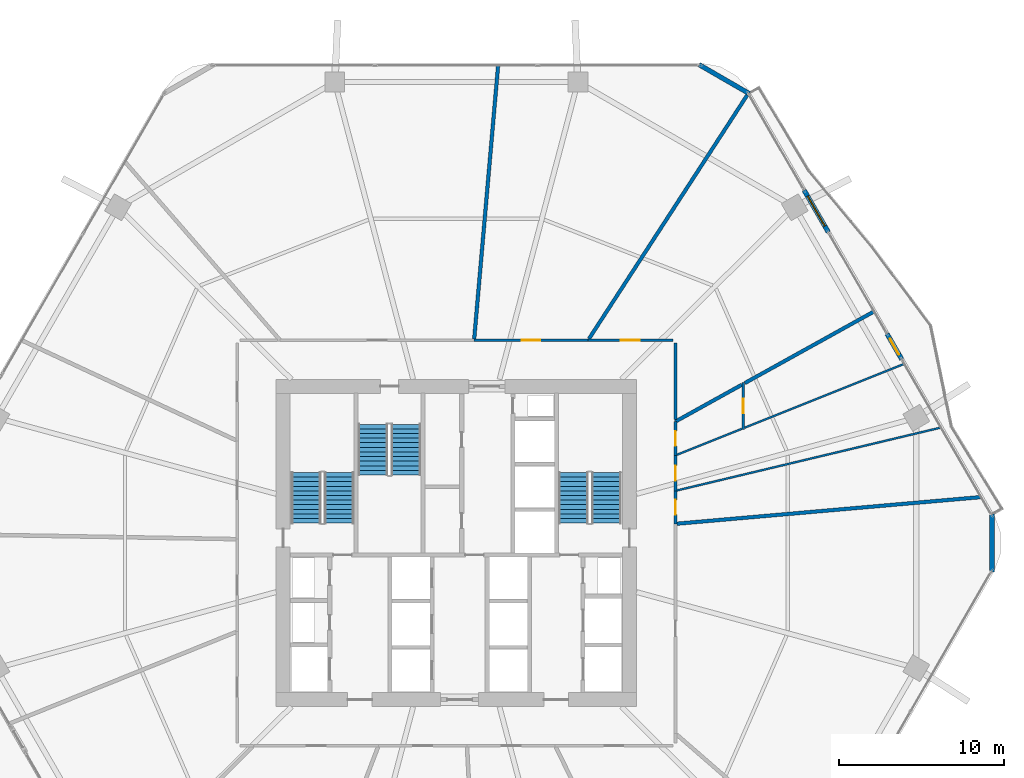
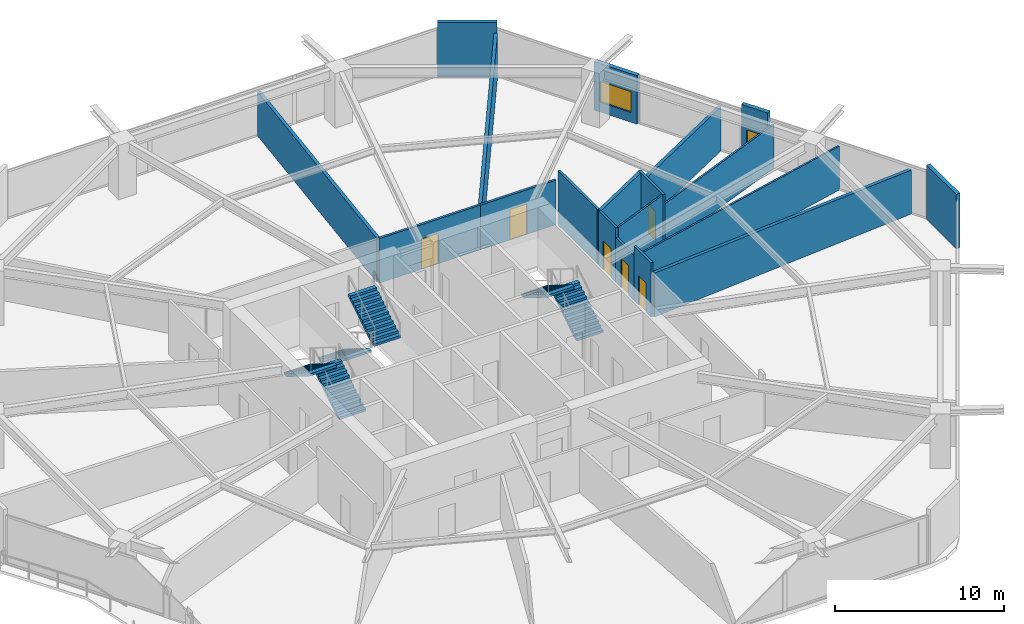
# One storey, part 24 of 27: 19 walls, 7 doors, 6 stair flights, 1 window, 8 openings, 3 elements without a shape of their own.
"""IFC4 building model written with IfcOpenShell, lengths in metres."""

from ifc_helpers import new_model, si_unit, direction, frame, frame_2d, origin, place, context, subcontext, project, spatial, polyline, rectangle, outline, extrude, material, layer, layer_set, type_object, element, fill, aggregate, save


model = new_model("IFC4")

# Units and contexts
model_context = context("Model", 3, precision=1e-05, world=origin(), true_north=direction((0.0, 1.0)))
body_context = subcontext(model_context, "Body", "Model", "MODEL_VIEW")
ifc_project = project(units=[si_unit("LENGTHUNIT", "METRE"), si_unit("AREAUNIT", "SQUARE_METRE"), si_unit("VOLUMEUNIT", "CUBIC_METRE"), si_unit("PLANEANGLEUNIT", "RADIAN"), si_unit("MASSUNIT", "GRAM", prefix="KILO")], contexts=[model_context])

# Site, building, storey
site_placement = place(None, origin())
site = spatial("IfcSite", under=ifc_project, at=site_placement, CompositionType="ELEMENT")
building_placement = place(site_placement, origin())
building = spatial("IfcBuilding", under=site, at=building_placement, Name="Zuhravey Tower", CompositionType="ELEMENT")
storey_placement = place(building_placement, frame((0.0, 0.0, 12.0)))
storey = spatial("IfcBuildingStorey", under=building, at=storey_placement, Name="L03", CompositionType="ELEMENT", Elevation=12.0)

# Wall, opening, door
ifc_material_1 = material(Name="Gypsum fire-rated stud partition")
ifc_layer_1 = layer(ifc_material_1, 0.159912109375)
ifc_layer_set_1 = layer_set([ifc_layer_1], Name="Gypsum fire-rated stud partition")
wall_type_1 = type_object("IfcWallType", Name="Corridor Fire Partition 160", PredefinedType="PARTITIONING", material=ifc_layer_set_1)
wall_1_placement = place(storey_placement, frame((49.284912109375, 33.162353515625, 0.0), z_axis=(0.0, 0.0, 1.0), x_axis=(0.0, 1.0, 0.0)))
wall_1 = element("IfcWall", 1, at=wall_1_placement, inside=storey, type_object=wall_type_1, Name="L03 IW16 Partition 019", PredefinedType="PARTITIONING", context=body_context, shape_type="SweptSolid", body=[
    extrude(rectangle(XDim=2.00244140625, YDim=0.159912109375, at=frame_2d((1.001220703125, 0.0))), origin(), (0.0, 0.0, 1.0), 3.919921875),
])
opening_1_placement = place(wall_1_placement, frame((0.55126953125, 0.0, 0.0)))
opening_1 = element("IfcOpeningElement", 2, at=opening_1_placement, cuts=wall_1, Name="Opening RSD1", PredefinedType="OPENING", context=body_context, shape_type="SweptSolid", body=[
    extrude(rectangle(XDim=0.89990234375, YDim=2.10009765625, at=frame_2d((0.449951171875, 1.050048828125))), frame((0.0, 0.092041015625, 0.0), z_axis=(0.0, -1.0, 0.0), x_axis=(1.0, 0.0, 0.0)), (0.0, 0.0, 1.0), 0.183837890625),
])
ifc_material_2 = material(Name="Galvanised fire-rated steel access leaf", Category="steel")
door_type_1 = type_object("IfcDoorType", Name="Riser & Shaft Access Fire Door 900x2100", OperationType="NOTDEFINED", PredefinedType="DOOR", material=ifc_material_2)
door_1_placement = place(opening_1_placement, frame((0.89990234375, 0.0, 0.0), z_axis=(0.0, 0.0, 1.0), x_axis=(-1.0, 0.0, 0.0)))
door_1 = element("IfcDoor", 3, at=door_1_placement, inside=storey, type_object=door_type_1, Name="L03 Door 019.1", OperationType="SINGLE_SWING_RIGHT", OverallHeight=2.10009765625, OverallWidth=0.89990234375, PredefinedType="DOOR", context=body_context, shape_type="SweptSolid", body=[
    extrude(rectangle(XDim=0.89990234375, YDim=2.10009765625, at=frame_2d((0.449951171875, 1.050048828125))), frame((0.0, 0.02490234375, 0.0), z_axis=(0.0, -1.0, 0.0), x_axis=(1.0, 0.0, 0.0)), (0.0, 0.0, 1.0), 0.050048828125),
])
fill(opening_1, door_1)

wall_2_placement = place(storey_placement, frame((49.284912109375, 35.164794921875, 0.0), z_axis=(0.0, 0.0, 1.0), x_axis=(0.0, 1.0, 0.0)))
wall_2 = element("IfcWall", 4, at=wall_2_placement, inside=storey, type_object=wall_type_1, Name="L03 IW16 Partition 020", PredefinedType="PARTITIONING", context=body_context, shape_type="SweptSolid", body=[
    extrude(rectangle(XDim=2.14892578125, YDim=0.159912109375, at=frame_2d((1.074462890625, 0.0))), origin(), (0.0, 0.0, 1.0), 3.219970703125),
])
opening_2_placement = place(wall_2_placement, frame((0.624267578125, 0.0, 0.0)))
opening_2 = element("IfcOpeningElement", 5, at=opening_2_placement, cuts=wall_2, Name="Opening RSD1", PredefinedType="OPENING", context=body_context, shape_type="SweptSolid", body=[
    extrude(rectangle(XDim=0.89990234375, YDim=2.10009765625, at=frame_2d((0.449951171875, 1.050048828125))), frame((0.0, 0.092041015625, 0.0), z_axis=(0.0, -1.0, 0.0), x_axis=(1.0, 0.0, 0.0)), (0.0, 0.0, 1.0), 0.183837890625),
])
door_2_placement = place(opening_2_placement, frame((0.89990234375, 0.0, 0.0), z_axis=(0.0, 0.0, 1.0), x_axis=(-1.0, 0.0, 0.0)))
door_2 = element("IfcDoor", 6, at=door_2_placement, inside=storey, type_object=door_type_1, Name="L03 Door 020.1", OperationType="SINGLE_SWING_LEFT", OverallHeight=2.10009765625, OverallWidth=0.89990234375, PredefinedType="DOOR", context=body_context, shape_type="SweptSolid", body=[
    extrude(rectangle(XDim=0.89990234375, YDim=2.10009765625, at=frame_2d((0.449951171875, 1.050048828125))), frame((0.0, 0.02490234375, 0.0), z_axis=(0.0, -1.0, 0.0), x_axis=(1.0, 0.0, 0.0)), (0.0, 0.0, 1.0), 0.050048828125),
])
fill(opening_2, door_2)

wall_3_placement = place(storey_placement, frame((53.405029296875, 41.7392578125, 0.0), z_axis=(0.0, 0.0, 1.0), x_axis=(0.0, -1.0, 0.0)))
wall_3 = element("IfcWall", 7, at=wall_3_placement, inside=storey, type_object=wall_type_1, Name="L03 IW16 Partition 021", PredefinedType="PARTITIONING", context=body_context, shape_type="SweptSolid", body=[
    extrude(rectangle(XDim=2.864013671875, YDim=0.159912109375, at=frame_2d((1.43212890625, 0.0))), origin(), (0.0, 0.0, 1.0), 3.919921875),
])
opening_3_placement = place(wall_3_placement, frame((0.98193359375, 0.0, 0.0)))
opening_3 = element("IfcOpeningElement", 8, at=opening_3_placement, cuts=wall_3, Name="Opening RSD1", PredefinedType="OPENING", context=body_context, shape_type="SweptSolid", body=[
    extrude(rectangle(XDim=0.89990234375, YDim=2.10009765625, at=frame_2d((0.449951171875, 1.050048828125))), frame((0.0, 0.092041015625, 0.0), z_axis=(0.0, -1.0, 0.0), x_axis=(1.0, 0.0, 0.0)), (0.0, 0.0, 1.0), 0.183837890625),
])
door_3_placement = place(opening_3_placement, origin())
door_3 = element("IfcDoor", 9, at=door_3_placement, inside=storey, type_object=door_type_1, Name="L03 Door 021.1", OperationType="SINGLE_SWING_RIGHT", OverallHeight=2.10009765625, OverallWidth=0.89990234375, PredefinedType="DOOR", context=body_context, shape_type="SweptSolid", body=[
    extrude(rectangle(XDim=0.89990234375, YDim=2.10009765625, at=frame_2d((0.449951171875, 1.050048828125))), frame((0.0, 0.02490234375, 0.0), z_axis=(0.0, -1.0, 0.0), x_axis=(1.0, 0.0, 0.0)), (0.0, 0.0, 1.0), 0.050048828125),
])
fill(opening_3, door_3)

wall_4_placement = place(storey_placement, frame((49.284912109375, 37.313720703125, 0.0), z_axis=(0.0, 0.0, 1.0), x_axis=(0.0, 1.0, 0.0)))
wall_4 = element("IfcWall", 10, at=wall_4_placement, inside=storey, type_object=wall_type_1, Name="L03 IW16 Partition 022", PredefinedType="PARTITIONING", context=body_context, shape_type="SweptSolid", body=[
    extrude(rectangle(XDim=2.05029296875, YDim=0.159912109375, at=frame_2d((1.025146484375, 0.0))), origin(), (0.0, 0.0, 1.0), 3.919921875),
])
opening_4_placement = place(wall_4_placement, frame((0.5751953125, 0.0, 0.0)))
opening_4 = element("IfcOpeningElement", 11, at=opening_4_placement, cuts=wall_4, Name="Opening RSD1", PredefinedType="OPENING", context=body_context, shape_type="SweptSolid", body=[
    extrude(rectangle(XDim=0.89990234375, YDim=2.10009765625, at=frame_2d((0.449951171875, 1.050048828125))), frame((0.0, 0.092041015625, 0.0), z_axis=(0.0, -1.0, 0.0), x_axis=(1.0, 0.0, 0.0)), (0.0, 0.0, 1.0), 0.183837890625),
])
door_4_placement = place(opening_4_placement, frame((0.89990234375, 0.0, 0.0), z_axis=(0.0, 0.0, 1.0), x_axis=(-1.0, 0.0, 0.0)))
door_4 = element("IfcDoor", 12, at=door_4_placement, inside=storey, type_object=door_type_1, Name="L03 Door 022.1", OperationType="SINGLE_SWING_LEFT", OverallHeight=2.10009765625, OverallWidth=0.89990234375, PredefinedType="DOOR", context=body_context, shape_type="SweptSolid", body=[
    extrude(rectangle(XDim=0.89990234375, YDim=2.10009765625, at=frame_2d((0.449951171875, 1.050048828125))), frame((0.0, 0.02490234375, 0.0), z_axis=(0.0, -1.0, 0.0), x_axis=(1.0, 0.0, 0.0)), (0.0, 0.0, 1.0), 0.050048828125),
])
fill(opening_4, door_4)

wall_5_placement = place(storey_placement, frame((49.125, 44.284912109375, 0.0), z_axis=(0.0, 0.0, 1.0), x_axis=(-1.0, 0.0, 0.0)))
wall_5 = element("IfcWall", 13, at=wall_5_placement, inside=storey, type_object=wall_type_1, Name="L03 IW16 Partition 023", PredefinedType="PARTITIONING", context=body_context, shape_type="SweptSolid", body=[
    extrude(rectangle(XDim=5.14697265625, YDim=0.159912109375, at=frame_2d((2.573486328125, 0.0))), origin(), (0.0, 0.0, 1.0), 3.219970703125),
])
opening_5_placement = place(wall_5_placement, frame((1.99853515625, 0.0, 0.0)))
opening_5 = element("IfcOpeningElement", 14, at=opening_5_placement, cuts=wall_5, Name="Opening CLD1", PredefinedType="OPENING", context=body_context, shape_type="SweptSolid", body=[
    extrude(rectangle(XDim=1.14990234375, YDim=2.199951171875, at=frame_2d((0.574951171875, 1.10009765625))), frame((0.0, 0.092041015625, 0.0), z_axis=(0.0, -1.0, 0.0), x_axis=(1.0, 0.0, 0.0)), (0.0, 0.0, 1.0), 0.183837890625),
])
ifc_material_3 = material(Name="Acoustic timber leaf with vision lite", Category="wood")
door_type_2 = type_object("IfcDoorType", Name="Classroom Acoustic Door 1150x2200", OperationType="NOTDEFINED", PredefinedType="DOOR", material=ifc_material_3)
door_5_placement = place(opening_5_placement, frame((1.14990234375, 0.0, 0.0), z_axis=(0.0, 0.0, 1.0), x_axis=(-1.0, 0.0, 0.0)))
door_5 = element("IfcDoor", 15, at=door_5_placement, inside=storey, type_object=door_type_2, Name="L03 Door 023.1", OperationType="SINGLE_SWING_RIGHT", OverallHeight=2.199951171875, OverallWidth=1.14990234375, PredefinedType="DOOR", context=body_context, shape_type="SweptSolid", body=[
    extrude(rectangle(XDim=1.14990234375, YDim=2.199951171875, at=frame_2d((0.574951171875, 1.10009765625))), frame((0.0, 0.02490234375, 0.0), z_axis=(0.0, -1.0, 0.0), x_axis=(1.0, 0.0, 0.0)), (0.0, 0.0, 1.0), 0.050048828125),
])
fill(opening_5, door_5)

wall_6_placement = place(storey_placement, frame((43.97802734375, 44.284912109375, 0.0), z_axis=(0.0, 0.0, 1.0), x_axis=(-1.0, 0.0, 0.0)))
wall_6 = element("IfcWall", 16, at=wall_6_placement, inside=storey, type_object=wall_type_1, Name="L03 IW16 Partition 024", PredefinedType="PARTITIONING", context=body_context, shape_type="SweptSolid", body=[
    extrude(rectangle(XDim=6.9033203125, YDim=0.159912109375, at=frame_2d((3.45166015625, 0.0))), origin(), (0.0, 0.0, 1.0), 3.219970703125),
])
opening_6_placement = place(wall_6_placement, frame((2.876708984375, 0.0, 0.0)))
opening_6 = element("IfcOpeningElement", 17, at=opening_6_placement, cuts=wall_6, Name="Opening CLD1", PredefinedType="OPENING", context=body_context, shape_type="SweptSolid", body=[
    extrude(rectangle(XDim=1.14990234375, YDim=2.199951171875, at=frame_2d((0.574951171875, 1.10009765625))), frame((0.0, 0.092041015625, 0.0), z_axis=(0.0, -1.0, 0.0), x_axis=(1.0, 0.0, 0.0)), (0.0, 0.0, 1.0), 0.183837890625),
])
door_6_placement = place(opening_6_placement, frame((1.14990234375, 0.0, 0.0), z_axis=(0.0, 0.0, 1.0), x_axis=(-1.0, 0.0, 0.0)))
door_6 = element("IfcDoor", 18, at=door_6_placement, inside=storey, type_object=door_type_2, Name="L03 Door 024.1", OperationType="SINGLE_SWING_LEFT", OverallHeight=2.199951171875, OverallWidth=1.14990234375, PredefinedType="DOOR", context=body_context, shape_type="SweptSolid", body=[
    extrude(rectangle(XDim=1.14990234375, YDim=2.199951171875, at=frame_2d((0.574951171875, 1.10009765625))), frame((0.0, 0.02490234375, 0.0), z_axis=(0.0, -1.0, 0.0), x_axis=(1.0, 0.0, 0.0)), (0.0, 0.0, 1.0), 0.050048828125),
])
fill(opening_6, door_6)

# Walls
wall_7_placement = place(storey_placement, frame((49.284912109375, 39.498779296875, 0.0), z_axis=(0.0, 0.0, 1.0), x_axis=(0.0, 1.0, 0.0)))
element("IfcWall", 19, at=wall_7_placement, inside=storey, type_object=wall_type_1, Name="L03 IW16 Partition 050", PredefinedType="PARTITIONING", context=body_context, shape_type="SweptSolid", body=[
    extrude(rectangle(XDim=4.626220703125, YDim=0.159912109375, at=frame_2d((2.31298828125, 0.0))), origin(), (0.0, 0.0, 1.0), 3.919921875),
])
ifc_material_4 = material(Name="Precast concrete C40/50", Category="concrete")
ifc_layer_2 = layer(ifc_material_4, 0.280029296875)
ifc_layer_set_2 = layer_set([ifc_layer_2], Name="Precast concrete C40/50")
wall_type_2 = type_object("IfcWallType", Name="Crown Architectural Wall 280", PredefinedType="SOLIDWALL", material=ifc_layer_set_2)
wall_8_placement = place(storey_placement, frame((50.71728515625, 61.006103515625, 0.0), z_axis=(0.0, 0.0, 1.0), x_axis=(0.866007452331, -0.500031091541, 0.0)))
element("IfcWall", 20, at=wall_8_placement, inside=storey, type_object=wall_type_2, Name="L03 Rounded Corner Closure Wall EW28-10", PredefinedType="SOLIDWALL", context=body_context, shape_type="SweptSolid", body=[
    extrude(rectangle(XDim=3.514892578125, YDim=0.280029296875, at=frame_2d((1.75732421875, 0.0))), origin(), (0.0, 0.0, 1.0), 3.919921875),
])

# Wall, opening, window
wall_9_placement = place(storey_placement, frame((57.087890625, 53.3916015625, 0.0), z_axis=(0.0, 0.0, 1.0), x_axis=(0.500024377727, -0.866011328839, 0.0)))
wall_9 = element("IfcWall", 21, at=wall_9_placement, inside=storey, type_object=wall_type_2, Name="L03 Face 1 Facade Pier EW28-1", PredefinedType="SOLIDWALL", context=body_context, shape_type="SweptSolid", body=[
    extrude(rectangle(XDim=2.939697265625, YDim=0.280029296875, at=frame_2d((1.4697265625, 0.0))), origin(), (0.0, 0.0, 1.0), 3.491943359375),
])
opening_7_placement = place(wall_9_placement, frame((0.419921875, 0.0, 0.699951171875)))
opening_7 = element("IfcOpeningElement", 22, at=opening_7_placement, cuts=wall_9, Name="Opening WN3", PredefinedType="OPENING", context=body_context, shape_type="SweptSolid", body=[
    extrude(rectangle(XDim=2.10009765625, YDim=1.5, at=frame_2d((1.050048828125, 0.75))), frame((0.0, 0.152099609375, 0.0), z_axis=(0.0, -1.0, 0.0), x_axis=(1.0, 0.0, 0.0)), (0.0, 0.0, 1.0), 0.303955078125),
])
ifc_material_5 = material(Name="Thermally broken aluminium and triple low-E glass", Category="aluminium")
window_type = type_object("IfcWindowType", Name="School Pavilion Window 2100x1500", PartitioningType="SINGLE_PANEL", PredefinedType="WINDOW", material=ifc_material_5)
window_placement = place(opening_7_placement, origin())
window = element("IfcWindow", 23, at=window_placement, inside=storey, type_object=window_type, Name="L03 Face 1 Feature Window", OverallHeight=1.5, OverallWidth=2.10009765625, PartitioningType="SINGLE_PANEL", PredefinedType="WINDOW", context=body_context, shape_type="SweptSolid", body=[
    extrude(rectangle(XDim=2.10009765625, YDim=1.5, at=frame_2d((1.050048828125, 0.75))), frame((0.0, 0.030029296875, 0.0), z_axis=(0.0, -1.0, 0.0), x_axis=(1.0, 0.0, 0.0)), (0.0, 0.0, 1.0), 0.06005859375),
])
fill(opening_7, window)

# Wall, opening, door
wall_10_placement = place(storey_placement, frame((62.114013671875, 44.68603515625, 0.0), z_axis=(0.0, 0.0, 1.0), x_axis=(0.499982180423, -0.866035691677, 0.0)))
wall_10 = element("IfcWall", 24, at=wall_10_placement, inside=storey, type_object=wall_type_2, Name="L03 Face 1 Facade Pier EW28-2", PredefinedType="SOLIDWALL", context=body_context, shape_type="SweptSolid", body=[
    extrude(rectangle(XDim=1.7900390625, YDim=0.280029296875, at=frame_2d((0.89501953125, 0.0))), origin(), (0.0, 0.0, 1.0), 3.919921875),
])
opening_8_placement = place(wall_10_placement, frame((0.344970703125, 0.0, 0.0)))
opening_8 = element("IfcOpeningElement", 25, at=opening_8_placement, cuts=wall_10, Name="Opening BLD1", PredefinedType="OPENING", context=body_context, shape_type="SweptSolid", body=[
    extrude(rectangle(XDim=1.10009765625, YDim=2.199951171875, at=frame_2d((0.550048828125, 1.10009765625))), frame((0.0, 0.152099609375, 0.0), z_axis=(0.0, -1.0, 0.0), x_axis=(1.0, 0.0, 0.0)), (0.0, 0.0, 1.0), 0.303955078125),
])
ifc_material_6 = material(Name="Thermally broken aluminium and low-E glass", Category="aluminium")
door_type_3 = type_object("IfcDoorType", Name="Balcony & Sky-Tray Glazed Door 1100x2200", OperationType="NOTDEFINED", PredefinedType="DOOR", material=ifc_material_6)
door_7_placement = place(opening_8_placement, frame((1.10009765625, 0.0, 0.0), z_axis=(0.0, 0.0, 1.0), x_axis=(-1.0, 0.0, 0.0)))
door_7 = element("IfcDoor", 26, at=door_7_placement, inside=storey, type_object=door_type_3, Name="L03 Face 1 School Wave Terrace Door", OperationType="SINGLE_SWING_LEFT", OverallHeight=2.199951171875, OverallWidth=1.10009765625, PredefinedType="DOOR", context=body_context, shape_type="SweptSolid", body=[
    extrude(rectangle(XDim=1.10009765625, YDim=2.199951171875, at=frame_2d((0.550048828125, 1.10009765625))), frame((0.0, 0.02490234375, 0.0), z_axis=(0.0, -1.0, 0.0), x_axis=(1.0, 0.0, 0.0)), (0.0, 0.0, 1.0), 0.050048828125),
])
fill(opening_8, door_7)

# Walls
wall_11_placement = place(storey_placement, frame((68.478515625, 33.757568359375, 0.0), z_axis=(0.0, 0.0, 1.0), x_axis=(0.0, -1.0, 0.0)))
element("IfcWall", 27, at=wall_11_placement, inside=storey, type_object=wall_type_2, Name="L03 Rounded Corner Closure Wall EW28-12", PredefinedType="SOLIDWALL", context=body_context, shape_type="SweptSolid", body=[
    extrude(rectangle(XDim=3.51513671875, YDim=0.280029296875, at=frame_2d((1.757568359375, 0.0))), origin(), (0.0, 0.0, 1.0), 3.919921875),
])
ifc_material_7 = material(Name="Gypsum acoustic stud assembly")
ifc_layer_3 = layer(ifc_material_7, 0.219970703125)
ifc_layer_set_3 = layer_set([ifc_layer_3], Name="Gypsum acoustic stud assembly")
wall_type_3 = type_object("IfcWallType", Name="School Acoustic Compartment Wall 220", PredefinedType="PARTITIONING", material=ifc_layer_set_3)
wall_12_placement = place(storey_placement, frame((49.373046875, 33.169921875, 0.0), z_axis=(0.0, 0.0, 1.0), x_axis=(0.99619391773, 0.087164661858, 0.0)))
element("IfcWall", 28, at=wall_12_placement, inside=storey, type_object=wall_type_3, Name="L03 IW22 Partition 043", PredefinedType="PARTITIONING", context=body_context, shape_type="SweptSolid", body=[
    extrude(rectangle(XDim=18.528076171875, YDim=0.219970703125, at=frame_2d((9.26416015625, 0.0))), origin(), (0.0, 0.0, 1.0), 3.169921875),
])
wall_13_placement = place(storey_placement, frame((49.284912109375, 39.364013671875, 0.0), z_axis=(0.0, 0.0, 1.0), x_axis=(0.874606547494, 0.484833360115, 0.0)))
element("IfcWall", 29, at=wall_13_placement, inside=storey, type_object=wall_type_3, Name="L03 IW22 Partition 047", PredefinedType="PARTITIONING", context=body_context, shape_type="SweptSolid", body=[
    extrude(rectangle(XDim=4.610107421875, YDim=0.219970703125, at=frame_2d((2.30517578125, 0.0))), origin(), (0.0, 0.0, 1.0), 3.919921875),
])
wall_14_placement = place(storey_placement, frame((53.492919921875, 41.696533203125, 0.0), z_axis=(0.0, 0.0, 1.0), x_axis=(0.874622025543, 0.484805437711, 0.0)))
element("IfcWall", 30, at=wall_14_placement, inside=storey, type_object=wall_type_3, Name="L03 IW22 Partition 048", PredefinedType="PARTITIONING", context=body_context, shape_type="SweptSolid", body=[
    extrude(rectangle(XDim=8.96240234375, YDim=0.219970703125, at=frame_2d((4.481201171875, 0.0))), origin(), (0.0, 0.0, 1.0), 3.169921875),
])
wall_15_placement = place(storey_placement, frame((44.03515625, 44.373046875, 0.0), z_axis=(0.0, 0.0, 1.0), x_axis=(0.544634848015, 0.838673287, 0.0)))
element("IfcWall", 31, at=wall_15_placement, inside=storey, type_object=wall_type_3, Name="L03 IW22 Partition 049", PredefinedType="PARTITIONING", context=body_context, shape_type="SweptSolid", body=[
    extrude(rectangle(XDim=17.747802734375, YDim=0.219970703125, at=frame_2d((8.8740234375, 0.0))), origin(), (0.0, 0.0, 1.0), 3.169921875),
])
wall_16_placement = place(storey_placement, frame((37.08251953125, 44.373046875, 0.0), z_axis=(0.0, 0.0, 1.0), x_axis=(0.087149123156, 0.996195277209, 0.0)))
element("IfcWall", 32, at=wall_16_placement, inside=storey, type_object=wall_type_3, Name="L03 IW22 Partition 051", PredefinedType="PARTITIONING", context=body_context, shape_type="SweptSolid", body=[
    extrude(rectangle(XDim=16.648681640625, YDim=0.219970703125, at=frame_2d((8.32421875, 0.0))), origin(), (0.0, 0.0, 1.0), 3.169921875),
])
ifc_material_8 = material(Name="Gypsum metal-stud partition")
ifc_layer_4 = layer(ifc_material_8, 0.1201171875)
ifc_layer_set_4 = layer_set([ifc_layer_4], Name="Gypsum metal-stud partition")
wall_type_4 = type_object("IfcWallType", Name="Unit Internal Partition 120", PredefinedType="PARTITIONING", material=ifc_layer_set_4)
wall_17_placement = place(storey_placement, frame((49.373046875, 35.185791015625, 0.0), z_axis=(0.0, 0.0, 1.0), x_axis=(0.972774396977, 0.231754120968, 0.0)))
element("IfcWall", 33, at=wall_17_placement, inside=storey, type_object=wall_type_4, Name="L03 IW12 Partition 044", PredefinedType="PARTITIONING", context=body_context, shape_type="SweptSolid", body=[
    extrude(rectangle(XDim=16.470703125, YDim=0.1201171875, at=frame_2d((8.2353515625, 0.0))), origin(), (0.0, 0.0, 1.0), 3.169921875),
])
wall_18_placement = place(storey_placement, frame((49.373046875, 37.348876953125, 0.0), z_axis=(0.0, 0.0, 1.0), x_axis=(0.928488582268, 0.371360946517, 0.0)))
element("IfcWall", 34, at=wall_18_placement, inside=storey, type_object=wall_type_4, Name="L03 IW12 Partition 045", PredefinedType="PARTITIONING", context=body_context, shape_type="SweptSolid", body=[
    extrude(rectangle(XDim=4.24755859375, YDim=0.1201171875, at=frame_2d((2.123779296875, 0.0))), origin(), (0.0, 0.0, 1.0), 3.919921875),
])
wall_19_placement = place(storey_placement, frame((53.492919921875, 38.99658203125, 0.0), z_axis=(0.0, 0.0, 1.0), x_axis=(0.928486388213, 0.371366432117, 0.0)))
element("IfcWall", 35, at=wall_19_placement, inside=storey, type_object=wall_type_4, Name="L03 IW12 Partition 046", PredefinedType="PARTITIONING", context=body_context, shape_type="SweptSolid", body=[
    extrude(rectangle(XDim=10.417236328125, YDim=0.1201171875, at=frame_2d((5.20849609375, 0.0))), origin(), (0.0, 0.0, 1.0), 3.169921875),
])

# Stair, stair flights
ifc_material_9 = material(Name="Concrete C40/50", Category="concrete")
stair_type = type_object("IfcStairType", Name="School Storey Stair Assembly 4200", PredefinedType="HALF_TURN_STAIR", material=ifc_material_9)
stair_1_placement = place(storey_placement, origin())
stair_1 = element("IfcStair", 36, at=stair_1_placement, inside=storey, type_object=stair_type, Name="L03 Core Exit Stair ST1", PredefinedType="HALF_TURN_STAIR")
stair_flight_type = type_object("IfcStairFlightType", Name="School Storey Stair Flight 4200", PredefinedType="STRAIGHT", material=ifc_material_9)
stair_flight_1_placement = place(storey_placement, frame((28.89990234375, 33.199951171875, 0.0), z_axis=(0.0, 0.0, 1.0), x_axis=(0.0, 1.0, 0.0)))
stair_flight_1 = element("IfcStairFlight", 37, at=stair_flight_1_placement, type_object=stair_flight_type, Name="ST1 flight 1", NumberOfRisers=12, NumberOfTreads=11, PredefinedType="STRAIGHT", RiserHeight=0.175, TreadLength=0.28, context=body_context, shape_type="SweptSolid", body=[
    extrude(outline(polyline([(0.0, 0.0), (0.0, 0.175048828125), (0.280029296875, 0.175048828125), (0.280029296875, 0.35009765625), (0.56005859375, 0.35009765625), (0.56005859375, 0.52490234375), (0.840087890625, 0.52490234375), (0.840087890625, 0.699951171875), (1.1201171875, 0.699951171875), (1.1201171875, 0.875), (1.39990234375, 0.875), (1.39990234375, 1.050048828125), (1.679931640625, 1.050048828125), (1.679931640625, 1.22509765625), (1.9599609375, 1.22509765625), (1.9599609375, 1.39990234375), (2.239990234375, 1.39990234375), (2.239990234375, 1.574951171875), (2.52001953125, 1.574951171875), (2.52001953125, 1.75), (2.800048828125, 1.75), (2.800048828125, 1.925048828125), (3.080078125, 1.925048828125), (3.080078125, 2.10009765625), (3.080078125, 1.748291015625), (0.28271484375, 0.0), (0.0, 0.0)])), frame((0.0, 0.89990234375, 0.0), z_axis=(0.0, -1.0, 0.0), x_axis=(1.0, 0.0, 0.0)), (0.0, 0.0, 1.0), 1.800048828125),
])
stair_flight_2_placement = place(storey_placement, frame((26.89990234375, 36.280029296875, 2.10009765625), z_axis=(0.0, 0.0, 1.0), x_axis=(0.0, -1.0, 0.0)))
stair_flight_2 = element("IfcStairFlight", 38, at=stair_flight_2_placement, type_object=stair_flight_type, Name="ST1 flight 2", NumberOfRisers=12, NumberOfTreads=11, PredefinedType="STRAIGHT", RiserHeight=0.175, TreadLength=0.28, context=body_context, shape_type="SweptSolid", body=[
    extrude(outline(polyline([(0.0, 0.0), (0.0, 0.175048828125), (0.280029296875, 0.175048828125), (0.280029296875, 0.35009765625), (0.56005859375, 0.35009765625), (0.56005859375, 0.52490234375), (0.840087890625, 0.52490234375), (0.840087890625, 0.699951171875), (1.1201171875, 0.699951171875), (1.1201171875, 0.875), (1.39990234375, 0.875), (1.39990234375, 1.050048828125), (1.679931640625, 1.050048828125), (1.679931640625, 1.22509765625), (1.9599609375, 1.22509765625), (1.9599609375, 1.39990234375), (2.239990234375, 1.39990234375), (2.239990234375, 1.574951171875), (2.52001953125, 1.574951171875), (2.52001953125, 1.75), (2.800048828125, 1.75), (2.800048828125, 1.925048828125), (3.080078125, 1.925048828125), (3.080078125, 2.10009765625), (3.080078125, 1.748291015625), (0.28271484375, 0.0), (0.0, 0.0)])), frame((0.0, 0.89990234375, 0.0), z_axis=(0.0, -1.0, 0.0), x_axis=(1.0, 0.0, 0.0)), (0.0, 0.0, 1.0), 1.800048828125),
])
aggregate(stair_1, [stair_flight_1, stair_flight_2])

stair_2_placement = place(storey_placement, origin())
stair_2 = element("IfcStair", 39, at=stair_2_placement, inside=storey, type_object=stair_type, Name="L03 Core Exit Stair ST2", PredefinedType="HALF_TURN_STAIR")
stair_flight_3_placement = place(storey_placement, frame((45.10009765625, 33.199951171875, 0.0), z_axis=(0.0, 0.0, 1.0), x_axis=(0.0, 1.0, 0.0)))
stair_flight_3 = element("IfcStairFlight", 40, at=stair_flight_3_placement, type_object=stair_flight_type, Name="ST2 flight 1", NumberOfRisers=12, NumberOfTreads=11, PredefinedType="STRAIGHT", RiserHeight=0.175, TreadLength=0.28, context=body_context, shape_type="SweptSolid", body=[
    extrude(outline(polyline([(0.0, 0.0), (0.0, 0.175048828125), (0.280029296875, 0.175048828125), (0.280029296875, 0.35009765625), (0.56005859375, 0.35009765625), (0.56005859375, 0.52490234375), (0.840087890625, 0.52490234375), (0.840087890625, 0.699951171875), (1.1201171875, 0.699951171875), (1.1201171875, 0.875), (1.39990234375, 0.875), (1.39990234375, 1.050048828125), (1.679931640625, 1.050048828125), (1.679931640625, 1.22509765625), (1.9599609375, 1.22509765625), (1.9599609375, 1.39990234375), (2.239990234375, 1.39990234375), (2.239990234375, 1.574951171875), (2.52001953125, 1.574951171875), (2.52001953125, 1.75), (2.800048828125, 1.75), (2.800048828125, 1.925048828125), (3.080078125, 1.925048828125), (3.080078125, 2.10009765625), (3.080078125, 1.748291015625), (0.28271484375, 0.0), (0.0, 0.0)])), frame((0.0, 0.89990234375, 0.0), z_axis=(0.0, -1.0, 0.0), x_axis=(1.0, 0.0, 0.0)), (0.0, 0.0, 1.0), 1.800048828125),
])
stair_flight_4_placement = place(storey_placement, frame((43.10009765625, 36.280029296875, 2.10009765625), z_axis=(0.0, 0.0, 1.0), x_axis=(0.0, -1.0, 0.0)))
stair_flight_4 = element("IfcStairFlight", 41, at=stair_flight_4_placement, type_object=stair_flight_type, Name="ST2 flight 2", NumberOfRisers=12, NumberOfTreads=11, PredefinedType="STRAIGHT", RiserHeight=0.175, TreadLength=0.28, context=body_context, shape_type="SweptSolid", body=[
    extrude(outline(polyline([(0.0, 0.0), (0.0, 0.175048828125), (0.280029296875, 0.175048828125), (0.280029296875, 0.35009765625), (0.56005859375, 0.35009765625), (0.56005859375, 0.52490234375), (0.840087890625, 0.52490234375), (0.840087890625, 0.699951171875), (1.1201171875, 0.699951171875), (1.1201171875, 0.875), (1.39990234375, 0.875), (1.39990234375, 1.050048828125), (1.679931640625, 1.050048828125), (1.679931640625, 1.22509765625), (1.9599609375, 1.22509765625), (1.9599609375, 1.39990234375), (2.239990234375, 1.39990234375), (2.239990234375, 1.574951171875), (2.52001953125, 1.574951171875), (2.52001953125, 1.75), (2.800048828125, 1.75), (2.800048828125, 1.925048828125), (3.080078125, 1.925048828125), (3.080078125, 2.10009765625), (3.080078125, 1.748291015625), (0.28271484375, 0.0), (0.0, 0.0)])), frame((0.0, 0.89990234375, 0.0), z_axis=(0.0, -1.0, 0.0), x_axis=(1.0, 0.0, 0.0)), (0.0, 0.0, 1.0), 1.800048828125),
])
aggregate(stair_2, [stair_flight_3, stair_flight_4])

stair_3_placement = place(storey_placement, origin())
stair_3 = element("IfcStair", 42, at=stair_3_placement, inside=storey, type_object=stair_type, Name="L03 Core Exit Stair ST3", PredefinedType="HALF_TURN_STAIR")
stair_flight_5_placement = place(storey_placement, frame((30.949951171875, 39.199951171875, 0.0), z_axis=(0.0, 0.0, 1.0), x_axis=(0.0, -1.0, 0.0)))
stair_flight_5 = element("IfcStairFlight", 43, at=stair_flight_5_placement, type_object=stair_flight_type, Name="ST3 flight 1", NumberOfRisers=12, NumberOfTreads=11, PredefinedType="STRAIGHT", RiserHeight=0.175, TreadLength=0.28, context=body_context, shape_type="SweptSolid", body=[
    extrude(outline(polyline([(0.0, 0.0), (0.0, 0.175048828125), (0.280029296875, 0.175048828125), (0.280029296875, 0.35009765625), (0.56005859375, 0.35009765625), (0.56005859375, 0.52490234375), (0.840087890625, 0.52490234375), (0.840087890625, 0.699951171875), (1.1201171875, 0.699951171875), (1.1201171875, 0.875), (1.39990234375, 0.875), (1.39990234375, 1.050048828125), (1.679931640625, 1.050048828125), (1.679931640625, 1.22509765625), (1.9599609375, 1.22509765625), (1.9599609375, 1.39990234375), (2.239990234375, 1.39990234375), (2.239990234375, 1.574951171875), (2.52001953125, 1.574951171875), (2.52001953125, 1.75), (2.800048828125, 1.75), (2.800048828125, 1.925048828125), (3.080078125, 1.925048828125), (3.080078125, 2.10009765625), (3.080078125, 1.748291015625), (0.28271484375, 0.0), (0.0, 0.0)])), frame((0.0, 0.89990234375, 0.0), z_axis=(0.0, -1.0, 0.0), x_axis=(1.0, 0.0, 0.0)), (0.0, 0.0, 1.0), 1.800048828125),
])
stair_flight_6_placement = place(storey_placement, frame((32.949951171875, 36.1201171875, 2.10009765625), z_axis=(0.0, 0.0, 1.0), x_axis=(0.0, 1.0, 0.0)))
stair_flight_6 = element("IfcStairFlight", 44, at=stair_flight_6_placement, type_object=stair_flight_type, Name="ST3 flight 2", NumberOfRisers=12, NumberOfTreads=11, PredefinedType="STRAIGHT", RiserHeight=0.175, TreadLength=0.28, context=body_context, shape_type="SweptSolid", body=[
    extrude(outline(polyline([(0.0, 0.0), (0.0, 0.175048828125), (0.280029296875, 0.175048828125), (0.280029296875, 0.35009765625), (0.56005859375, 0.35009765625), (0.56005859375, 0.52490234375), (0.840087890625, 0.52490234375), (0.840087890625, 0.699951171875), (1.1201171875, 0.699951171875), (1.1201171875, 0.875), (1.39990234375, 0.875), (1.39990234375, 1.050048828125), (1.679931640625, 1.050048828125), (1.679931640625, 1.22509765625), (1.9599609375, 1.22509765625), (1.9599609375, 1.39990234375), (2.239990234375, 1.39990234375), (2.239990234375, 1.574951171875), (2.52001953125, 1.574951171875), (2.52001953125, 1.75), (2.800048828125, 1.75), (2.800048828125, 1.925048828125), (3.080078125, 1.925048828125), (3.080078125, 2.10009765625), (3.080078125, 1.748291015625), (0.28271484375, 0.0), (0.0, 0.0)])), frame((0.0, 0.89990234375, 0.0), z_axis=(0.0, -1.0, 0.0), x_axis=(1.0, 0.0, 0.0)), (0.0, 0.0, 1.0), 1.800048828125),
])
aggregate(stair_3, [stair_flight_5, stair_flight_6])

save(model, "model.ifc")
